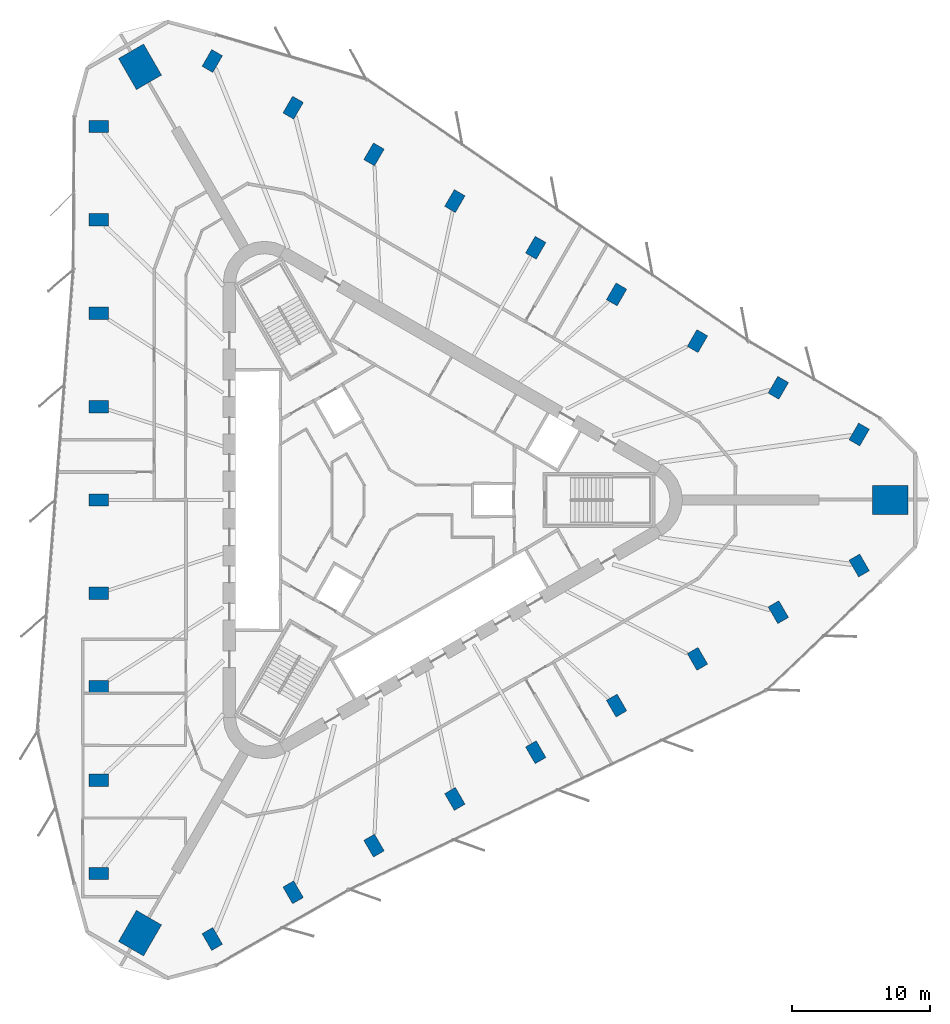
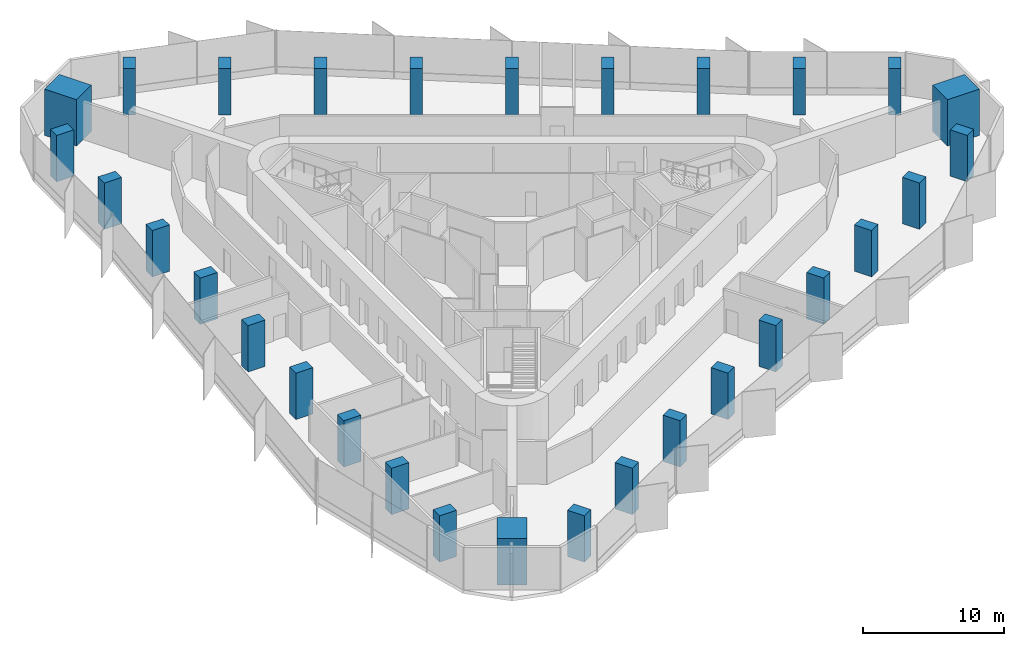
# One storey, part 1 of 13: 30 columns.
"""IFC4 building model written with IfcOpenShell, lengths in metres."""

from ifc_helpers import new_model, si_unit, direction, frame, origin, origin_2d, place, context, subcontext, project, spatial, rectangle, extrude, material, material_profile, profile_set, type_object, element, save


model = new_model("IFC4")

# Units and contexts
model_context = context("Model", 3, precision=1e-05, world=origin(), true_north=direction((0.0, 1.0)))
body_context = subcontext(model_context, "Body", "Model", "MODEL_VIEW")
ifc_project = project(units=[si_unit("LENGTHUNIT", "METRE"), si_unit("AREAUNIT", "SQUARE_METRE"), si_unit("VOLUMEUNIT", "CUBIC_METRE"), si_unit("PLANEANGLEUNIT", "RADIAN"), si_unit("MASSUNIT", "GRAM", prefix="KILO")], contexts=[model_context])

# Site, building, storey
site_placement = place(None, origin())
site = spatial("IfcSite", under=ifc_project, at=site_placement, CompositionType="ELEMENT")
building_placement = place(site_placement, origin())
building = spatial("IfcBuilding", under=site, at=building_placement, Name="Tanit Gate Tower", CompositionType="ELEMENT")
storey_placement = place(building_placement, frame((0.0, 0.0, 269.199951171875)))
storey = spatial("IfcBuildingStorey", under=building, at=storey_placement, Name="L61", CompositionType="ELEMENT", Elevation=269.199951171875)

# Columns
ifc_material_1 = material(Name="Concrete C60/75", Category="concrete")
ifc_material_profile_1 = material_profile(ifc_material_1, rectangle(XDim=2.60009765625, YDim=2.10009765625, at=origin_2d()), Name="RC 2600x2100")
ifc_profile_set_1 = profile_set([ifc_material_profile_1], Name="Concrete C60/75")
column_type_1 = type_object("IfcColumnType", Name="MEGA COLUMN 2600x2100 C60/75", PredefinedType="COLUMN", material=ifc_profile_set_1)
for number, where, z_axis, x_axis, name in (
    (1, (36.270263671875, 0.0, 0.0), (0.0, 0.0, 1.0), (1.0, 0.0, 0.0), "MEGA COLUMN"),
    (2, (-18.135009765625, 31.410888671875, 0.0), (0.0, 0.0, 1.0), (-0.5, 0.866025403784, 0.0), "MEGA COLUMN"),
    (3, (-18.135009765625, -31.410888671875, 0.0), (0.0, 0.0, 1.0), (-0.5, -0.866025403784, 0.0), "MEGA COLUMN"),
):
    element("IfcColumn", number, at=place(storey_placement, frame(where, z_axis=z_axis, x_axis=x_axis)), inside=storey, type_object=column_type_1, Name=name, PredefinedType="COLUMN", context=body_context, shape_type="SweptSolid", body=[
        extrude(rectangle(XDim=2.60009765625, YDim=2.10009765625, at=origin_2d()), origin(), (0.0, 0.0, 1.0), 4.0),
    ])
ifc_material_2 = material(Name="Concrete C50/60", Category="concrete")
ifc_material_profile_2 = material_profile(ifc_material_2, rectangle(XDim=1.39990234375, YDim=0.89990234375, at=origin_2d()), Name="RC 1400x900")
ifc_profile_set_2 = profile_set([ifc_material_profile_2], Name="Concrete C50/60")
column_type_2 = type_object("IfcColumnType", Name="PERIMETER COLUMN 1400x900 C50/60", PredefinedType="COLUMN", material=ifc_profile_set_2)
for number, where, z_axis, x_axis, name in (
    (4, (-21.121337890625, 27.083984375, 0.0), (0.0, 0.0, 1.0), (-1.0, 0.0, 0.0), "PERIMETER COLUMN"),
    (5, (-21.121337890625, 20.31298828125, 0.0), (0.0, 0.0, 1.0), (-1.0, 0.0, 0.0), "PERIMETER COLUMN"),
    (6, (-21.121337890625, 13.5419921875, 0.0), (0.0, 0.0, 1.0), (-1.0, 0.0, 0.0), "PERIMETER COLUMN"),
    (7, (-21.121337890625, 6.77099609375, 0.0), (0.0, 0.0, 1.0), (-1.0, 0.0, 0.0), "PERIMETER COLUMN"),
    (8, (-21.121337890625, 0.0, 0.0), (0.0, 0.0, 1.0), (-1.0, 0.0, 0.0), "PERIMETER COLUMN"),
    (9, (-21.121337890625, -6.77099609375, 0.0), (0.0, 0.0, 1.0), (-1.0, 0.0, 0.0), "PERIMETER COLUMN"),
    (10, (-21.121337890625, -13.5419921875, 0.0), (0.0, 0.0, 1.0), (-1.0, 0.0, 0.0), "PERIMETER COLUMN"),
    (11, (-21.121337890625, -20.31298828125, 0.0), (0.0, 0.0, 1.0), (-1.0, 0.0, 0.0), "PERIMETER COLUMN"),
    (12, (-21.121337890625, -27.083984375, 0.0), (0.0, 0.0, 1.0), (-1.0, 0.0, 0.0), "PERIMETER COLUMN"),
    (13, (34.01611328125, 4.749755859375, 0.0), (0.0, 0.0, 1.0), (0.5, 0.866025403784, 0.0), "PERIMETER COLUMN"),
    (14, (28.152099609375, 8.13525390625, 0.0), (0.0, 0.0, 1.0), (0.5, 0.866025403784, 0.0), "PERIMETER COLUMN"),
    (15, (22.288330078125, 11.520751953125, 0.0), (0.0, 0.0, 1.0), (0.5, 0.866025403784, 0.0), "PERIMETER COLUMN"),
    (16, (16.424560546875, 14.90625, 0.0), (0.0, 0.0, 1.0), (0.5, 0.866025403784, 0.0), "PERIMETER COLUMN"),
    (17, (10.560791015625, 18.291748046875, 0.0), (0.0, 0.0, 1.0), (0.5, 0.866025403784, 0.0), "PERIMETER COLUMN"),
    (18, (4.697021484375, 21.67724609375, 0.0), (0.0, 0.0, 1.0), (0.5, 0.866025403784, 0.0), "PERIMETER COLUMN"),
    (19, (-1.1669921875, 25.062744140625, 0.0), (0.0, 0.0, 1.0), (0.5, 0.866025403784, 0.0), "PERIMETER COLUMN"),
    (20, (-7.03076171875, 28.4482421875, 0.0), (0.0, 0.0, 1.0), (0.5, 0.866025403784, 0.0), "PERIMETER COLUMN"),
    (21, (-12.894775390625, 31.83349609375, 0.0), (0.0, 0.0, 1.0), (0.5, 0.866025403784, 0.0), "PERIMETER COLUMN"),
    (22, (-12.894775390625, -31.83349609375, 0.0), (0.0, 0.0, 1.0), (0.5, -0.866025403784, 0.0), "PERIMETER COLUMN"),
    (23, (-7.03076171875, -28.4482421875, 0.0), (0.0, 0.0, 1.0), (0.5, -0.866025403784, 0.0), "PERIMETER COLUMN"),
    (24, (-1.1669921875, -25.062744140625, 0.0), (0.0, 0.0, 1.0), (0.5, -0.866025403784, 0.0), "PERIMETER COLUMN"),
    (25, (4.697021484375, -21.67724609375, 0.0), (0.0, 0.0, 1.0), (0.5, -0.866025403784, 0.0), "PERIMETER COLUMN"),
    (26, (10.560791015625, -18.291748046875, 0.0), (0.0, 0.0, 1.0), (0.5, -0.866025403784, 0.0), "PERIMETER COLUMN"),
    (27, (16.424560546875, -14.90625, 0.0), (0.0, 0.0, 1.0), (0.5, -0.866025403784, 0.0), "PERIMETER COLUMN"),
    (28, (22.288330078125, -11.520751953125, 0.0), (0.0, 0.0, 1.0), (0.5, -0.866025403784, 0.0), "PERIMETER COLUMN"),
    (29, (28.152099609375, -8.13525390625, 0.0), (0.0, 0.0, 1.0), (0.5, -0.866025403784, 0.0), "PERIMETER COLUMN"),
    (30, (34.01611328125, -4.749755859375, 0.0), (0.0, 0.0, 1.0), (0.5, -0.866025403784, 0.0), "PERIMETER COLUMN"),
):
    element("IfcColumn", number, at=place(storey_placement, frame(where, z_axis=z_axis, x_axis=x_axis)), inside=storey, type_object=column_type_2, Name=name, PredefinedType="COLUMN", context=body_context, shape_type="SweptSolid", body=[
        extrude(rectangle(XDim=1.39990234375, YDim=0.89990234375, at=origin_2d()), origin(), (0.0, 0.0, 1.0), 4.0),
    ])

save(model, "model.ifc")
